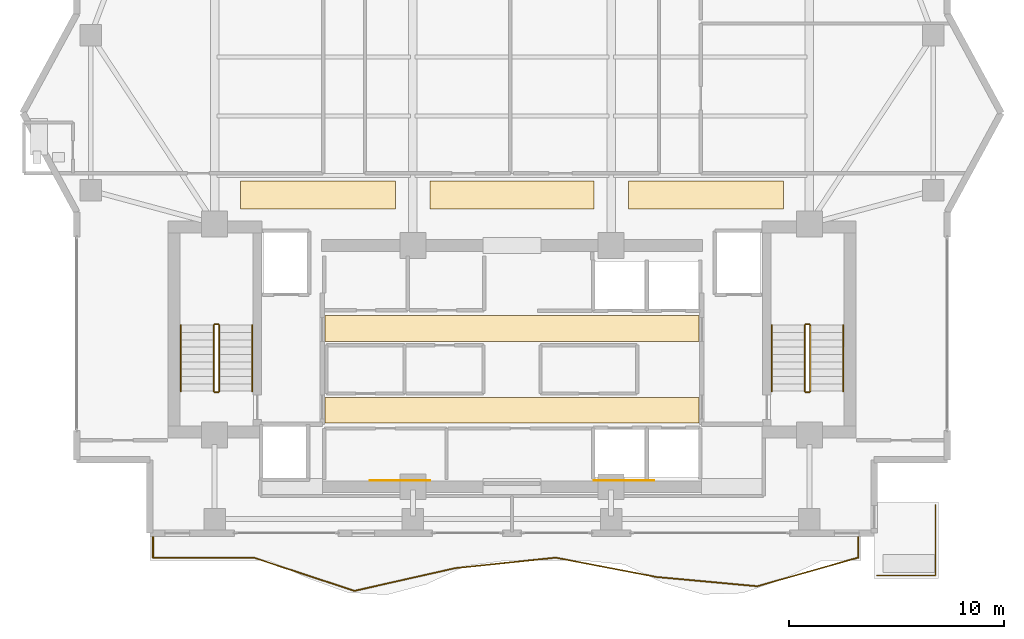
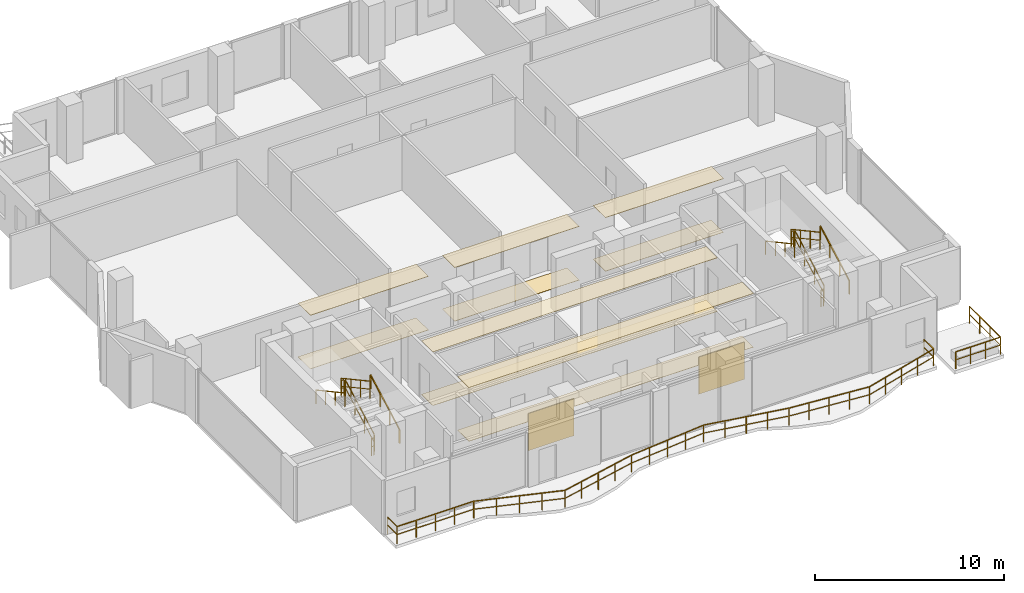
# One storey, part 23 of 25: 14 railings, 12 coverings.
"""IFC4 building model written with IfcOpenShell, lengths in metres."""

from ifc_helpers import new_model, si_unit, direction, frame, origin, origin_2d, place, context, subcontext, project, spatial, polyline, rectangle, outline, extrude, material, layer, layer_set, type_object, element, save


model = new_model("IFC4")

# Units and contexts
model_context = context("Model", 3, precision=1e-05, world=origin(), true_north=direction((0.0, 1.0)))
body_context = subcontext(model_context, "Body", "Model", "MODEL_VIEW")
ifc_project = project(units=[si_unit("LENGTHUNIT", "METRE"), si_unit("AREAUNIT", "SQUARE_METRE"), si_unit("VOLUMEUNIT", "CUBIC_METRE"), si_unit("PLANEANGLEUNIT", "RADIAN"), si_unit("MASSUNIT", "GRAM", prefix="KILO")], contexts=[model_context])

# Site, building, storey
site_placement = place(None, origin())
site = spatial("IfcSite", under=ifc_project, at=site_placement, CompositionType="ELEMENT")
building_placement = place(site_placement, origin())
building = spatial("IfcBuilding", under=site, at=building_placement, Name="Zuhayl Quay Hotel", CompositionType="ELEMENT")
storey_placement = place(building_placement, frame((0.0, 0.0, 250.75)))
storey = spatial("IfcBuildingStorey", under=building, at=storey_placement, Name="L63", CompositionType="ELEMENT", Elevation=250.75)

# Coverings
ifc_material_1 = material(Name="Acoustic Mineral-Fibre Gypsum Board")
ifc_layer_1 = layer(ifc_material_1, 0.02490234375, Name="Acoustic Mineral-Fibre Gypsum Board")
ifc_layer_set_1 = layer_set([ifc_layer_1], Name="Acoustic Mineral-Fibre Gypsum Board")
covering_type_1 = type_object("IfcCoveringType", Name="CV_CEIL_ACOUSTIC", PredefinedType="CEILING", material=ifc_layer_set_1)
covering_1_placement = place(storey_placement, frame((0.0, 0.0, 3.455078125)))
element("IfcCovering", 1, at=covering_1_placement, inside=storey, type_object=covering_type_1, Name="L63 Suspended Acoustic Lobby Ceiling S", PredefinedType="CEILING", context=body_context, shape_type="SweptSolid", body=[
    extrude(outline(polyline([(-8.679931640625, 5.10009765625), (8.679931640625, 5.10009765625), (8.679931640625, 6.300048828125), (-8.679931640625, 6.300048828125), (-8.679931640625, 5.10009765625)])), origin(), (0.0, 0.0, 1.0), 0.02490234375),
])
covering_2_placement = place(storey_placement, frame((0.0, 0.0, 3.455078125)))
element("IfcCovering", 2, at=covering_2_placement, inside=storey, type_object=covering_type_1, Name="L63 Suspended Acoustic Lobby Ceiling N", PredefinedType="CEILING", context=body_context, shape_type="SweptSolid", body=[
    extrude(outline(polyline([(-8.679931640625, 8.89990234375), (8.679931640625, 8.89990234375), (8.679931640625, 10.10009765625), (-8.679931640625, 10.10009765625), (-8.679931640625, 8.89990234375)])), origin(), (0.0, 0.0, 1.0), 0.02490234375),
])
covering_3_placement = place(storey_placement, frame((0.0, 0.0, 3.455078125)))
element("IfcCovering", 3, at=covering_3_placement, inside=storey, type_object=covering_type_1, Name="L63 Guest Corridor Acoustic Ceiling CW", PredefinedType="CEILING", context=body_context, shape_type="SweptSolid", body=[
    extrude(outline(polyline([(-12.60009765625, 15.050048828125), (-5.39990234375, 15.050048828125), (-5.39990234375, 16.35009765625), (-12.60009765625, 16.35009765625), (-12.60009765625, 15.050048828125)])), origin(), (0.0, 0.0, 1.0), 0.02490234375),
])
covering_4_placement = place(storey_placement, frame((0.0, 0.0, 3.455078125)))
element("IfcCovering", 4, at=covering_4_placement, inside=storey, type_object=covering_type_1, Name="L63 Guest Corridor Acoustic Ceiling CC", PredefinedType="CEILING", context=body_context, shape_type="SweptSolid", body=[
    extrude(outline(polyline([(-3.800048828125, 15.050048828125), (3.800048828125, 15.050048828125), (3.800048828125, 16.35009765625), (-3.800048828125, 16.35009765625), (-3.800048828125, 15.050048828125)])), origin(), (0.0, 0.0, 1.0), 0.02490234375),
])
covering_5_placement = place(storey_placement, frame((0.0, 0.0, 3.455078125)))
element("IfcCovering", 5, at=covering_5_placement, inside=storey, type_object=covering_type_1, Name="L63 Guest Corridor Acoustic Ceiling CE", PredefinedType="CEILING", context=body_context, shape_type="SweptSolid", body=[
    extrude(outline(polyline([(5.39990234375, 15.050048828125), (12.60009765625, 15.050048828125), (12.60009765625, 16.35009765625), (5.39990234375, 16.35009765625), (5.39990234375, 15.050048828125)])), origin(), (0.0, 0.0, 1.0), 0.02490234375),
])
ifc_material_2 = material(Name="Polished Limestone Terrazzo", Category="masonry")
ifc_layer_2 = layer(ifc_material_2, 0.02001953125, Name="Polished Limestone Terrazzo", Category="masonry")
ifc_layer_set_2 = layer_set([ifc_layer_2], Name="Polished Limestone Terrazzo")
covering_type_2 = type_object("IfcCoveringType", Name="CV_FLOOR_TERRAZZO", PredefinedType="FLOORING", material=ifc_layer_set_2)
covering_6_placement = place(storey_placement, origin())
element("IfcCovering", 6, at=covering_6_placement, inside=storey, type_object=covering_type_2, Name="L63 Honed Limestone Terrazzo Lobby Flooring S", PredefinedType="FLOORING", context=body_context, shape_type="SweptSolid", body=[
    extrude(outline(polyline([(-8.679931640625, 5.10009765625), (8.679931640625, 5.10009765625), (8.679931640625, 6.300048828125), (-8.679931640625, 6.300048828125), (-8.679931640625, 5.10009765625)])), origin(), (0.0, 0.0, 1.0), 0.02001953125),
])
covering_7_placement = place(storey_placement, origin())
element("IfcCovering", 7, at=covering_7_placement, inside=storey, type_object=covering_type_2, Name="L63 Honed Limestone Terrazzo Lobby Flooring N", PredefinedType="FLOORING", context=body_context, shape_type="SweptSolid", body=[
    extrude(outline(polyline([(-8.679931640625, 8.89990234375), (8.679931640625, 8.89990234375), (8.679931640625, 10.10009765625), (-8.679931640625, 10.10009765625), (-8.679931640625, 8.89990234375)])), origin(), (0.0, 0.0, 1.0), 0.02001953125),
])
covering_8_placement = place(storey_placement, origin())
element("IfcCovering", 8, at=covering_8_placement, inside=storey, type_object=covering_type_2, Name="L63 Guest Corridor Terrazzo Runner CW", PredefinedType="FLOORING", context=body_context, shape_type="SweptSolid", body=[
    extrude(outline(polyline([(-12.60009765625, 15.050048828125), (-5.39990234375, 15.050048828125), (-5.39990234375, 16.35009765625), (-12.60009765625, 16.35009765625), (-12.60009765625, 15.050048828125)])), origin(), (0.0, 0.0, 1.0), 0.02001953125),
])
covering_9_placement = place(storey_placement, origin())
element("IfcCovering", 9, at=covering_9_placement, inside=storey, type_object=covering_type_2, Name="L63 Guest Corridor Terrazzo Runner CC", PredefinedType="FLOORING", context=body_context, shape_type="SweptSolid", body=[
    extrude(outline(polyline([(-3.800048828125, 15.050048828125), (3.800048828125, 15.050048828125), (3.800048828125, 16.35009765625), (-3.800048828125, 16.35009765625), (-3.800048828125, 15.050048828125)])), origin(), (0.0, 0.0, 1.0), 0.02001953125),
])
covering_10_placement = place(storey_placement, origin())
element("IfcCovering", 10, at=covering_10_placement, inside=storey, type_object=covering_type_2, Name="L63 Guest Corridor Terrazzo Runner CE", PredefinedType="FLOORING", context=body_context, shape_type="SweptSolid", body=[
    extrude(outline(polyline([(5.39990234375, 15.050048828125), (12.60009765625, 15.050048828125), (12.60009765625, 16.35009765625), (5.39990234375, 16.35009765625), (5.39990234375, 15.050048828125)])), origin(), (0.0, 0.0, 1.0), 0.02001953125),
])
ifc_material_3 = material(Name="Acoustic Walnut Feature Timber", Category="wood")
ifc_layer_3 = layer(ifc_material_3, 0.02197265625, Name="Acoustic Walnut Feature Timber", Category="wood")
ifc_layer_set_3 = layer_set([ifc_layer_3], Name="Acoustic Walnut Feature Timber")
covering_type_3 = type_object("IfcCoveringType", Name="CV_WALL_CLAD", PredefinedType="CLADDING", material=ifc_layer_set_3)
for number, where, z_axis, x_axis, name in (
    (11, (-5.199951171875, 2.43603515625, 0.300048828125), (0.0, 0.0, 1.0), (1.0, 0.0, 0.0), "L63 Feature Lobby Walnut Wall Cladding W"),
    (12, (5.199951171875, 2.43603515625, 0.300048828125), (0.0, 0.0, 1.0), (1.0, 0.0, 0.0), "L63 Feature Lobby Walnut Wall Cladding E"),
):
    element("IfcCovering", number, at=place(storey_placement, frame(where, z_axis=z_axis, x_axis=x_axis)), inside=storey, type_object=covering_type_3, Name=name, PredefinedType="CLADDING", context=body_context, shape_type="SweptSolid", body=[
        extrude(rectangle(XDim=2.800048828125, YDim=0.02197265625, at=origin_2d()), origin(), (0.0, 0.0, 1.0), 2.39990234375),
    ])

# Railings
ifc_material_4 = material(Name="Anodised Aluminium and Laminated Glass", Category="aluminium")
railing_type_1 = type_object("IfcRailingType", Name="RL_EXT_BAL_1100", PredefinedType="BALUSTRADE", material=ifc_material_4)
railing_1_placement = place(storey_placement, frame((-16.659912109375, -0.1201171875, 0.0)))
element("IfcRailing", 13, at=railing_1_placement, inside=storey, type_object=railing_type_1, Name="L63 Balcony and Terrace Guard GR_L63_BAL_S", PredefinedType="BALUSTRADE", context=body_context, shape_type="SweptSolid", body=[
    extrude(rectangle(XDim=0.048095703125, YDim=0.048095703125, at=origin_2d()), frame((0.0, 0.0, 1.09619140625), z_axis=(0.0, -1.0, 0.0), x_axis=(1.0, 0.0, 0.0)), (0.0, 0.0, 1.0), 1.019775390625),
    extrude(rectangle(XDim=0.0361328125, YDim=0.0361328125, at=origin_2d()), frame((0.0, 0.0, 0.58251953125), z_axis=(0.0, -1.0, 0.0), x_axis=(1.0, 0.0, 0.0)), (0.0, 0.0, 1.0), 1.019775390625),
    extrude(rectangle(XDim=0.048095703125, YDim=0.048095703125, at=origin_2d()), frame((0.0, -1.019775390625, 1.09619140625), z_axis=(1.0, 0.0, 0.0), x_axis=(0.0, 1.0, 0.0)), (0.0, 0.0, 1.0), 4.67431640625),
    extrude(rectangle(XDim=0.0361328125, YDim=0.0361328125, at=origin_2d()), frame((0.0, -1.019775390625, 0.58251953125), z_axis=(1.0, 0.0, 0.0), x_axis=(0.0, 1.0, 0.0)), (0.0, 0.0, 1.0), 4.67431640625),
    extrude(rectangle(XDim=0.048095703125, YDim=0.048095703125, at=origin_2d()), frame((4.67431640625, -1.019775390625, 1.09619140625), z_axis=(0.949719836724, -0.313100992865, 0.0), x_axis=(0.313100992865, 0.949719836724, 0.0)), (0.0, 0.0, 1.0), 4.921875),
    extrude(rectangle(XDim=0.0361328125, YDim=0.0361328125, at=origin_2d()), frame((4.67431640625, -1.019775390625, 0.58251953125), z_axis=(0.949719836724, -0.313100992865, 0.0), x_axis=(0.313100992865, 0.949719836724, 0.0)), (0.0, 0.0, 1.0), 4.921875),
    extrude(rectangle(XDim=0.048095703125, YDim=0.048095703125, at=origin_2d()), frame((9.3486328125, -2.560791015625, 1.09619140625), z_axis=(0.975474538306, 0.220112301148, 0.0), x_axis=(-0.220112301148, 0.975474538306, 0.0)), (0.0, 0.0, 1.0), 4.79150390625),
    extrude(rectangle(XDim=0.0361328125, YDim=0.0361328125, at=origin_2d()), frame((9.3486328125, -2.560791015625, 0.58251953125), z_axis=(0.975474538306, 0.220112301148, 0.0), x_axis=(-0.220112301148, 0.975474538306, 0.0)), (0.0, 0.0, 1.0), 4.79150390625),
    extrude(rectangle(XDim=0.048095703125, YDim=0.048095703125, at=origin_2d()), frame((14.022705078125, -1.506103515625, 1.09619140625), z_axis=(0.994631115611, 0.103484027071, 0.0), x_axis=(-0.103484027071, 0.994631115611, 0.0)), (0.0, 0.0, 1.0), 4.699462890625),
    extrude(rectangle(XDim=0.0361328125, YDim=0.0361328125, at=origin_2d()), frame((14.022705078125, -1.506103515625, 0.58251953125), z_axis=(0.994631115611, 0.103484027071, 0.0), x_axis=(-0.103484027071, 0.994631115611, 0.0)), (0.0, 0.0, 1.0), 4.699462890625),
    extrude(rectangle(XDim=0.048095703125, YDim=0.048095703125, at=origin_2d()), frame((18.697021484375, -1.019775390625, 1.09619140625), z_axis=(0.982024734592, -0.188752273232, 0.0), x_axis=(0.188752273232, 0.982024734592, 0.0)), (0.0, 0.0, 1.0), 4.759765625),
    extrude(rectangle(XDim=0.0361328125, YDim=0.0361328125, at=origin_2d()), frame((18.697021484375, -1.019775390625, 0.58251953125), z_axis=(0.982024734592, -0.188752273232, 0.0), x_axis=(0.188752273232, 0.982024734592, 0.0)), (0.0, 0.0, 1.0), 4.759765625),
    extrude(rectangle(XDim=0.048095703125, YDim=0.048095703125, at=origin_2d()), frame((23.371337890625, -1.918212890625, 1.09619140625), z_axis=(0.995858172055, -0.090920301094, 0.0), x_axis=(0.090920301094, 0.995858172055, 0.0)), (0.0, 0.0, 1.0), 4.69384765625),
    extrude(rectangle(XDim=0.0361328125, YDim=0.0361328125, at=origin_2d()), frame((23.371337890625, -1.918212890625, 0.58251953125), z_axis=(0.995858172055, -0.090920301094, 0.0), x_axis=(0.090920301094, 0.995858172055, 0.0)), (0.0, 0.0, 1.0), 4.69384765625),
    extrude(rectangle(XDim=0.048095703125, YDim=0.048095703125, at=origin_2d()), frame((28.045654296875, -2.344970703125, 1.09619140625), z_axis=(0.962083221932, 0.272756070649, 0.0), x_axis=(-0.272756070649, 0.962083221932, 0.0)), (0.0, 0.0, 1.0), 4.858642578125),
    extrude(rectangle(XDim=0.0361328125, YDim=0.0361328125, at=origin_2d()), frame((28.045654296875, -2.344970703125, 0.58251953125), z_axis=(0.962083221932, 0.272756070649, 0.0), x_axis=(-0.272756070649, 0.962083221932, 0.0)), (0.0, 0.0, 1.0), 4.858642578125),
    extrude(rectangle(XDim=0.048095703125, YDim=0.048095703125, at=origin_2d()), frame((32.719970703125, -1.019775390625, 1.09619140625), z_axis=(0.0, 1.0, 0.0), x_axis=(-1.0, 0.0, 0.0)), (0.0, 0.0, 1.0), 1.019775390625),
    extrude(rectangle(XDim=0.0361328125, YDim=0.0361328125, at=origin_2d()), frame((32.719970703125, -1.019775390625, 0.58251953125), z_axis=(0.0, 1.0, 0.0), x_axis=(-1.0, 0.0, 0.0)), (0.0, 0.0, 1.0), 1.019775390625),
    extrude(rectangle(XDim=0.0419921875, YDim=0.0419921875, at=origin_2d()), origin(), (0.0, 0.0, 1.0), 1.072021484375),
    extrude(rectangle(XDim=0.0419921875, YDim=0.0419921875, at=origin_2d()), frame((0.0, -1.019775390625, 0.0)), (0.0, 0.0, 1.0), 1.072021484375),
    extrude(rectangle(XDim=0.0419921875, YDim=0.0419921875, at=origin_2d()), frame((1.16845703125, -1.019775390625, 0.0)), (0.0, 0.0, 1.0), 1.072021484375),
    extrude(rectangle(XDim=0.0419921875, YDim=0.0419921875, at=origin_2d()), frame((2.337158203125, -1.019775390625, 0.0)), (0.0, 0.0, 1.0), 1.072021484375),
    extrude(rectangle(XDim=0.0419921875, YDim=0.0419921875, at=origin_2d()), frame((3.505859375, -1.019775390625, 0.0)), (0.0, 0.0, 1.0), 1.072021484375),
    extrude(rectangle(XDim=0.0419921875, YDim=0.0419921875, at=origin_2d()), frame((4.67431640625, -1.019775390625, 0.0)), (0.0, 0.0, 1.0), 1.072021484375),
    extrude(rectangle(XDim=0.0419921875, YDim=0.0419921875, at=origin_2d()), frame((5.8427734375, -1.405029296875, 0.0)), (0.0, 0.0, 1.0), 1.072021484375),
    extrude(rectangle(XDim=0.0419921875, YDim=0.0419921875, at=origin_2d()), frame((7.011474609375, -1.790283203125, 0.0)), (0.0, 0.0, 1.0), 1.072021484375),
    extrude(rectangle(XDim=0.0419921875, YDim=0.0419921875, at=origin_2d()), frame((8.18017578125, -2.175537109375, 0.0)), (0.0, 0.0, 1.0), 1.072021484375),
    extrude(rectangle(XDim=0.0419921875, YDim=0.0419921875, at=origin_2d()), frame((9.3486328125, -2.560791015625, 0.0)), (0.0, 0.0, 1.0), 1.072021484375),
    extrude(rectangle(XDim=0.0419921875, YDim=0.0419921875, at=origin_2d()), frame((10.51708984375, -2.297119140625, 0.0)), (0.0, 0.0, 1.0), 1.072021484375),
    extrude(rectangle(XDim=0.0419921875, YDim=0.0419921875, at=origin_2d()), frame((11.685546875, -2.033447265625, 0.0)), (0.0, 0.0, 1.0), 1.072021484375),
    extrude(rectangle(XDim=0.0419921875, YDim=0.0419921875, at=origin_2d()), frame((12.854248046875, -1.769775390625, 0.0)), (0.0, 0.0, 1.0), 1.072021484375),
    extrude(rectangle(XDim=0.0419921875, YDim=0.0419921875, at=origin_2d()), frame((14.022705078125, -1.506103515625, 0.0)), (0.0, 0.0, 1.0), 1.072021484375),
    extrude(rectangle(XDim=0.0419921875, YDim=0.0419921875, at=origin_2d()), frame((15.19140625, -1.384521484375, 0.0)), (0.0, 0.0, 1.0), 1.072021484375),
    extrude(rectangle(XDim=0.0419921875, YDim=0.0419921875, at=origin_2d()), frame((16.35986328125, -1.262939453125, 0.0)), (0.0, 0.0, 1.0), 1.072021484375),
    extrude(rectangle(XDim=0.0419921875, YDim=0.0419921875, at=origin_2d()), frame((17.5283203125, -1.141357421875, 0.0)), (0.0, 0.0, 1.0), 1.072021484375),
    extrude(rectangle(XDim=0.0419921875, YDim=0.0419921875, at=origin_2d()), frame((18.697021484375, -1.019775390625, 0.0)), (0.0, 0.0, 1.0), 1.072021484375),
    extrude(rectangle(XDim=0.0419921875, YDim=0.0419921875, at=origin_2d()), frame((19.86572265625, -1.244384765625, 0.0)), (0.0, 0.0, 1.0), 1.072021484375),
    extrude(rectangle(XDim=0.0419921875, YDim=0.0419921875, at=origin_2d()), frame((21.0341796875, -1.468994140625, 0.0)), (0.0, 0.0, 1.0), 1.072021484375),
    extrude(rectangle(XDim=0.0419921875, YDim=0.0419921875, at=origin_2d()), frame((22.20263671875, -1.693603515625, 0.0)), (0.0, 0.0, 1.0), 1.072021484375),
    extrude(rectangle(XDim=0.0419921875, YDim=0.0419921875, at=origin_2d()), frame((23.371337890625, -1.918212890625, 0.0)), (0.0, 0.0, 1.0), 1.072021484375),
    extrude(rectangle(XDim=0.0419921875, YDim=0.0419921875, at=origin_2d()), frame((24.5400390625, -2.02490234375, 0.0)), (0.0, 0.0, 1.0), 1.072021484375),
    extrude(rectangle(XDim=0.0419921875, YDim=0.0419921875, at=origin_2d()), frame((25.70849609375, -2.131591796875, 0.0)), (0.0, 0.0, 1.0), 1.072021484375),
    extrude(rectangle(XDim=0.0419921875, YDim=0.0419921875, at=origin_2d()), frame((26.876953125, -2.23828125, 0.0)), (0.0, 0.0, 1.0), 1.072021484375),
    extrude(rectangle(XDim=0.0419921875, YDim=0.0419921875, at=origin_2d()), frame((28.045654296875, -2.344970703125, 0.0)), (0.0, 0.0, 1.0), 1.072021484375),
    extrude(rectangle(XDim=0.0419921875, YDim=0.0419921875, at=origin_2d()), frame((29.21435546875, -2.013671875, 0.0)), (0.0, 0.0, 1.0), 1.072021484375),
    extrude(rectangle(XDim=0.0419921875, YDim=0.0419921875, at=origin_2d()), frame((30.3828125, -1.682373046875, 0.0)), (0.0, 0.0, 1.0), 1.072021484375),
    extrude(rectangle(XDim=0.0419921875, YDim=0.0419921875, at=origin_2d()), frame((31.55126953125, -1.35107421875, 0.0)), (0.0, 0.0, 1.0), 1.072021484375),
    extrude(rectangle(XDim=0.0419921875, YDim=0.0419921875, at=origin_2d()), frame((32.719970703125, -1.019775390625, 0.0)), (0.0, 0.0, 1.0), 1.072021484375),
    extrude(rectangle(XDim=0.0419921875, YDim=0.0419921875, at=origin_2d()), frame((32.719970703125, 0.0, 0.0)), (0.0, 0.0, 1.0), 1.072021484375),
])
railing_2_placement = place(storey_placement, frame((16.93994140625, -1.9599609375, 0.0)))
element("IfcRailing", 14, at=railing_2_placement, inside=storey, type_object=railing_type_1, Name="L63 Balcony and Terrace Guard GR_L63_SPIRAL_SE", PredefinedType="BALUSTRADE", context=body_context, shape_type="SweptSolid", body=[
    extrude(rectangle(XDim=0.048095703125, YDim=0.048095703125, at=origin_2d()), frame((0.0, 0.0, 1.09619140625), z_axis=(1.0, 0.0, 0.0), x_axis=(0.0, 1.0, 0.0)), (0.0, 0.0, 1.0), 2.719970703125),
    extrude(rectangle(XDim=0.0361328125, YDim=0.0361328125, at=origin_2d()), frame((0.0, 0.0, 0.58251953125), z_axis=(1.0, 0.0, 0.0), x_axis=(0.0, 1.0, 0.0)), (0.0, 0.0, 1.0), 2.719970703125),
    extrude(rectangle(XDim=0.048095703125, YDim=0.048095703125, at=origin_2d()), frame((2.719970703125, 0.0, 1.09619140625), z_axis=(0.0, 1.0, 0.0), x_axis=(-1.0, 0.0, 0.0)), (0.0, 0.0, 1.0), 3.27001953125),
    extrude(rectangle(XDim=0.0361328125, YDim=0.0361328125, at=origin_2d()), frame((2.719970703125, 0.0, 0.58251953125), z_axis=(0.0, 1.0, 0.0), x_axis=(-1.0, 0.0, 0.0)), (0.0, 0.0, 1.0), 3.27001953125),
    extrude(rectangle(XDim=0.0419921875, YDim=0.0419921875, at=origin_2d()), origin(), (0.0, 0.0, 1.0), 1.072021484375),
    extrude(rectangle(XDim=0.0419921875, YDim=0.0419921875, at=origin_2d()), frame((0.90673828125, 0.0, 0.0)), (0.0, 0.0, 1.0), 1.072021484375),
    extrude(rectangle(XDim=0.0419921875, YDim=0.0419921875, at=origin_2d()), frame((1.813232421875, 0.0, 0.0)), (0.0, 0.0, 1.0), 1.072021484375),
    extrude(rectangle(XDim=0.0419921875, YDim=0.0419921875, at=origin_2d()), frame((2.719970703125, 0.0, 0.0)), (0.0, 0.0, 1.0), 1.072021484375),
    extrude(rectangle(XDim=0.0419921875, YDim=0.0419921875, at=origin_2d()), frame((2.719970703125, 1.090087890625, 0.0)), (0.0, 0.0, 1.0), 1.072021484375),
    extrude(rectangle(XDim=0.0419921875, YDim=0.0419921875, at=origin_2d()), frame((2.719970703125, 2.179931640625, 0.0)), (0.0, 0.0, 1.0), 1.072021484375),
    extrude(rectangle(XDim=0.0419921875, YDim=0.0419921875, at=origin_2d()), frame((2.719970703125, 3.27001953125, 0.0)), (0.0, 0.0, 1.0), 1.072021484375),
])
ifc_material_5 = material(Name="Steel ASTM A992 Grade 50", Category="steel")
railing_type_2 = type_object("IfcRailingType", Name="RL_GUARD_1100", PredefinedType="GUARDRAIL", material=ifc_material_5)
railing_3_placement = place(storey_placement, frame((-13.590087890625, 6.590087890625, 0.18505859375)))
element("IfcRailing", 15, at=railing_3_placement, inside=storey, type_object=railing_type_2, Name="L63 ST1 stair guard 1", PredefinedType="GUARDRAIL", context=body_context, shape_type="SweptSolid", body=[
    extrude(rectangle(XDim=0.048095703125, YDim=0.048095703125, at=origin_2d()), frame((0.0, 0.0, 1.09619140625), z_axis=(0.0, 0.878371892512, 0.477977843049), x_axis=(-1.0, 0.0, 0.0)), (0.0, 0.0, 1.0), 3.4833984375),
    extrude(rectangle(XDim=0.0361328125, YDim=0.0361328125, at=origin_2d()), frame((0.0, 0.0, 0.58251953125), z_axis=(0.0, 0.878371892512, 0.477977843049), x_axis=(-1.0, 0.0, 0.0)), (0.0, 0.0, 1.0), 3.4833984375),
    extrude(rectangle(XDim=0.0419921875, YDim=0.0419921875, at=origin_2d()), origin(), (0.0, 0.0, 1.0), 1.072021484375),
    extrude(rectangle(XDim=0.0419921875, YDim=0.0419921875, at=origin_2d()), frame((0.0, 1.02001953125, 0.554931640625)), (0.0, 0.0, 1.0), 1.072021484375),
    extrude(rectangle(XDim=0.0419921875, YDim=0.0419921875, at=origin_2d()), frame((0.0, 2.039794921875, 1.110107421875)), (0.0, 0.0, 1.0), 1.072021484375),
    extrude(rectangle(XDim=0.0419921875, YDim=0.0419921875, at=origin_2d()), frame((0.0, 3.059814453125, 1.6650390625)), (0.0, 0.0, 1.0), 1.072021484375),
])
railing_4_placement = place(storey_placement, frame((-13.639892578125, 9.699951171875, 1.85009765625)))
element("IfcRailing", 16, at=railing_4_placement, inside=storey, type_object=railing_type_2, Name="L63 ST1 stair guard 2", PredefinedType="GUARDRAIL", context=body_context, shape_type="SweptSolid", body=[
    extrude(rectangle(XDim=0.048095703125, YDim=0.048095703125, at=origin_2d()), frame((0.0, 0.0, 1.09619140625), z_axis=(-1.0, 0.0, 0.0), x_axis=(0.0, -1.0, 0.0)), (0.0, 0.0, 1.0), 0.150146484375),
    extrude(rectangle(XDim=0.0361328125, YDim=0.0361328125, at=origin_2d()), frame((0.0, 0.0, 0.58251953125), z_axis=(-1.0, 0.0, 0.0), x_axis=(0.0, -1.0, 0.0)), (0.0, 0.0, 1.0), 0.150146484375),
    extrude(rectangle(XDim=0.0419921875, YDim=0.0419921875, at=origin_2d()), origin(), (0.0, 0.0, 1.0), 1.072021484375),
    extrude(rectangle(XDim=0.0419921875, YDim=0.0419921875, at=origin_2d()), frame((-0.150146484375, 0.0, 0.0)), (0.0, 0.0, 1.0), 1.072021484375),
])
railing_5_placement = place(storey_placement, frame((-13.840087890625, 9.64990234375, 2.034912109375)))
element("IfcRailing", 17, at=railing_5_placement, inside=storey, type_object=railing_type_2, Name="L63 ST1 stair guard 3", PredefinedType="GUARDRAIL", context=body_context, shape_type="SweptSolid", body=[
    extrude(rectangle(XDim=0.048095703125, YDim=0.048095703125, at=origin_2d()), frame((0.0, 0.0, 1.09619140625), z_axis=(0.0, -0.878371892512, 0.477977843049), x_axis=(1.0, 0.0, 0.0)), (0.0, 0.0, 1.0), 3.4833984375),
    extrude(rectangle(XDim=0.0361328125, YDim=0.0361328125, at=origin_2d()), frame((0.0, 0.0, 0.58251953125), z_axis=(0.0, -0.878371892512, 0.477977843049), x_axis=(1.0, 0.0, 0.0)), (0.0, 0.0, 1.0), 3.4833984375),
    extrude(rectangle(XDim=0.0419921875, YDim=0.0419921875, at=origin_2d()), origin(), (0.0, 0.0, 1.0), 1.072021484375),
    extrude(rectangle(XDim=0.0419921875, YDim=0.0419921875, at=origin_2d()), frame((0.0, -1.02001953125, 0.554931640625)), (0.0, 0.0, 1.0), 1.072021484375),
    extrude(rectangle(XDim=0.0419921875, YDim=0.0419921875, at=origin_2d()), frame((0.0, -2.039794921875, 1.110107421875)), (0.0, 0.0, 1.0), 1.072021484375),
    extrude(rectangle(XDim=0.0419921875, YDim=0.0419921875, at=origin_2d()), frame((0.0, -3.059814453125, 1.6650390625)), (0.0, 0.0, 1.0), 1.072021484375),
])
railing_6_placement = place(storey_placement, frame((-13.639892578125, 6.5400390625, 0.0)))
element("IfcRailing", 18, at=railing_6_placement, inside=storey, type_object=railing_type_2, Name="L63 ST1 stair guard 4", PredefinedType="GUARDRAIL", context=body_context, shape_type="SweptSolid", body=[
    extrude(rectangle(XDim=0.048095703125, YDim=0.048095703125, at=origin_2d()), frame((0.0, 0.0, 1.09619140625), z_axis=(-1.0, 0.0, 0.0), x_axis=(0.0, -1.0, 0.0)), (0.0, 0.0, 1.0), 0.150146484375),
    extrude(rectangle(XDim=0.0361328125, YDim=0.0361328125, at=origin_2d()), frame((0.0, 0.0, 0.58251953125), z_axis=(-1.0, 0.0, 0.0), x_axis=(0.0, -1.0, 0.0)), (0.0, 0.0, 1.0), 0.150146484375),
    extrude(rectangle(XDim=0.0419921875, YDim=0.0419921875, at=origin_2d()), origin(), (0.0, 0.0, 1.0), 1.072021484375),
    extrude(rectangle(XDim=0.0419921875, YDim=0.0419921875, at=origin_2d()), frame((-0.150146484375, 0.0, 0.0)), (0.0, 0.0, 1.0), 1.072021484375),
])
railing_7_placement = place(storey_placement, frame((13.840087890625, 6.590087890625, 0.18505859375)))
element("IfcRailing", 19, at=railing_7_placement, inside=storey, type_object=railing_type_2, Name="L63 ST2 stair guard 1", PredefinedType="GUARDRAIL", context=body_context, shape_type="SweptSolid", body=[
    extrude(rectangle(XDim=0.048095703125, YDim=0.048095703125, at=origin_2d()), frame((0.0, 0.0, 1.09619140625), z_axis=(0.0, 0.878371892512, 0.477977843049), x_axis=(-1.0, 0.0, 0.0)), (0.0, 0.0, 1.0), 3.4833984375),
    extrude(rectangle(XDim=0.0361328125, YDim=0.0361328125, at=origin_2d()), frame((0.0, 0.0, 0.58251953125), z_axis=(0.0, 0.878371892512, 0.477977843049), x_axis=(-1.0, 0.0, 0.0)), (0.0, 0.0, 1.0), 3.4833984375),
    extrude(rectangle(XDim=0.0419921875, YDim=0.0419921875, at=origin_2d()), origin(), (0.0, 0.0, 1.0), 1.072021484375),
    extrude(rectangle(XDim=0.0419921875, YDim=0.0419921875, at=origin_2d()), frame((0.0, 1.02001953125, 0.554931640625)), (0.0, 0.0, 1.0), 1.072021484375),
    extrude(rectangle(XDim=0.0419921875, YDim=0.0419921875, at=origin_2d()), frame((0.0, 2.039794921875, 1.110107421875)), (0.0, 0.0, 1.0), 1.072021484375),
    extrude(rectangle(XDim=0.0419921875, YDim=0.0419921875, at=origin_2d()), frame((0.0, 3.059814453125, 1.6650390625)), (0.0, 0.0, 1.0), 1.072021484375),
])
railing_8_placement = place(storey_placement, frame((13.7900390625, 9.699951171875, 1.85009765625)))
element("IfcRailing", 20, at=railing_8_placement, inside=storey, type_object=railing_type_2, Name="L63 ST2 stair guard 2", PredefinedType="GUARDRAIL", context=body_context, shape_type="SweptSolid", body=[
    extrude(rectangle(XDim=0.048095703125, YDim=0.048095703125, at=origin_2d()), frame((0.0, 0.0, 1.09619140625), z_axis=(-1.0, 0.0, 0.0), x_axis=(0.0, -1.0, 0.0)), (0.0, 0.0, 1.0), 0.150146484375),
    extrude(rectangle(XDim=0.0361328125, YDim=0.0361328125, at=origin_2d()), frame((0.0, 0.0, 0.58251953125), z_axis=(-1.0, 0.0, 0.0), x_axis=(0.0, -1.0, 0.0)), (0.0, 0.0, 1.0), 0.150146484375),
    extrude(rectangle(XDim=0.0419921875, YDim=0.0419921875, at=origin_2d()), origin(), (0.0, 0.0, 1.0), 1.072021484375),
    extrude(rectangle(XDim=0.0419921875, YDim=0.0419921875, at=origin_2d()), frame((-0.150146484375, 0.0, 0.0)), (0.0, 0.0, 1.0), 1.072021484375),
])
railing_9_placement = place(storey_placement, frame((13.590087890625, 9.64990234375, 2.034912109375)))
element("IfcRailing", 21, at=railing_9_placement, inside=storey, type_object=railing_type_2, Name="L63 ST2 stair guard 3", PredefinedType="GUARDRAIL", context=body_context, shape_type="SweptSolid", body=[
    extrude(rectangle(XDim=0.048095703125, YDim=0.048095703125, at=origin_2d()), frame((0.0, 0.0, 1.09619140625), z_axis=(0.0, -0.878371892512, 0.477977843049), x_axis=(1.0, 0.0, 0.0)), (0.0, 0.0, 1.0), 3.4833984375),
    extrude(rectangle(XDim=0.0361328125, YDim=0.0361328125, at=origin_2d()), frame((0.0, 0.0, 0.58251953125), z_axis=(0.0, -0.878371892512, 0.477977843049), x_axis=(1.0, 0.0, 0.0)), (0.0, 0.0, 1.0), 3.4833984375),
    extrude(rectangle(XDim=0.0419921875, YDim=0.0419921875, at=origin_2d()), origin(), (0.0, 0.0, 1.0), 1.072021484375),
    extrude(rectangle(XDim=0.0419921875, YDim=0.0419921875, at=origin_2d()), frame((0.0, -1.02001953125, 0.554931640625)), (0.0, 0.0, 1.0), 1.072021484375),
    extrude(rectangle(XDim=0.0419921875, YDim=0.0419921875, at=origin_2d()), frame((0.0, -2.039794921875, 1.110107421875)), (0.0, 0.0, 1.0), 1.072021484375),
    extrude(rectangle(XDim=0.0419921875, YDim=0.0419921875, at=origin_2d()), frame((0.0, -3.059814453125, 1.6650390625)), (0.0, 0.0, 1.0), 1.072021484375),
])
railing_10_placement = place(storey_placement, frame((13.7900390625, 6.5400390625, 0.0)))
element("IfcRailing", 22, at=railing_10_placement, inside=storey, type_object=railing_type_2, Name="L63 ST2 stair guard 4", PredefinedType="GUARDRAIL", context=body_context, shape_type="SweptSolid", body=[
    extrude(rectangle(XDim=0.048095703125, YDim=0.048095703125, at=origin_2d()), frame((0.0, 0.0, 1.09619140625), z_axis=(-1.0, 0.0, 0.0), x_axis=(0.0, -1.0, 0.0)), (0.0, 0.0, 1.0), 0.150146484375),
    extrude(rectangle(XDim=0.0361328125, YDim=0.0361328125, at=origin_2d()), frame((0.0, 0.0, 0.58251953125), z_axis=(-1.0, 0.0, 0.0), x_axis=(0.0, -1.0, 0.0)), (0.0, 0.0, 1.0), 0.150146484375),
    extrude(rectangle(XDim=0.0419921875, YDim=0.0419921875, at=origin_2d()), origin(), (0.0, 0.0, 1.0), 1.072021484375),
    extrude(rectangle(XDim=0.0419921875, YDim=0.0419921875, at=origin_2d()), frame((-0.150146484375, 0.0, 0.0)), (0.0, 0.0, 1.0), 1.072021484375),
])
railing_type_3 = type_object("IfcRailingType", Name="RL_HANDRAIL_920", PredefinedType="HANDRAIL", material=ifc_material_5)
railing_11_placement = place(storey_placement, frame((-12.050048828125, 6.590087890625, 0.18505859375)))
element("IfcRailing", 23, at=railing_11_placement, inside=storey, type_object=railing_type_3, Name="L63 ST1 stair handrail 1", PredefinedType="HANDRAIL", context=body_context, shape_type="SweptSolid", body=[
    extrude(rectangle(XDim=0.048095703125, YDim=0.048095703125, at=origin_2d()), frame((0.0, 0.0, 0.8759765625), z_axis=(0.0, 0.878371892512, 0.477977843049), x_axis=(-1.0, 0.0, 0.0)), (0.0, 0.0, 1.0), 3.4833984375),
    extrude(rectangle(XDim=0.0419921875, YDim=0.0419921875, at=origin_2d()), origin(), (0.0, 0.0, 1.0), 0.851806640625),
    extrude(rectangle(XDim=0.0419921875, YDim=0.0419921875, at=origin_2d()), frame((0.0, 1.02001953125, 0.554931640625)), (0.0, 0.0, 1.0), 0.851806640625),
    extrude(rectangle(XDim=0.0419921875, YDim=0.0419921875, at=origin_2d()), frame((0.0, 2.039794921875, 1.110107421875)), (0.0, 0.0, 1.0), 0.851806640625),
    extrude(rectangle(XDim=0.0419921875, YDim=0.0419921875, at=origin_2d()), frame((0.0, 3.059814453125, 1.6650390625)), (0.0, 0.0, 1.0), 0.851806640625),
])
railing_12_placement = place(storey_placement, frame((-15.3798828125, 9.64990234375, 2.034912109375)))
element("IfcRailing", 24, at=railing_12_placement, inside=storey, type_object=railing_type_3, Name="L63 ST1 stair handrail 2", PredefinedType="HANDRAIL", context=body_context, shape_type="SweptSolid", body=[
    extrude(rectangle(XDim=0.048095703125, YDim=0.048095703125, at=origin_2d()), frame((0.0, 0.0, 0.8759765625), z_axis=(0.0, -0.878371892512, 0.477977843049), x_axis=(1.0, 0.0, 0.0)), (0.0, 0.0, 1.0), 3.4833984375),
    extrude(rectangle(XDim=0.0419921875, YDim=0.0419921875, at=origin_2d()), origin(), (0.0, 0.0, 1.0), 0.851806640625),
    extrude(rectangle(XDim=0.0419921875, YDim=0.0419921875, at=origin_2d()), frame((0.0, -1.02001953125, 0.554931640625)), (0.0, 0.0, 1.0), 0.851806640625),
    extrude(rectangle(XDim=0.0419921875, YDim=0.0419921875, at=origin_2d()), frame((0.0, -2.039794921875, 1.110107421875)), (0.0, 0.0, 1.0), 0.851806640625),
    extrude(rectangle(XDim=0.0419921875, YDim=0.0419921875, at=origin_2d()), frame((0.0, -3.059814453125, 1.6650390625)), (0.0, 0.0, 1.0), 0.851806640625),
])
railing_13_placement = place(storey_placement, frame((15.3798828125, 6.590087890625, 0.18505859375)))
element("IfcRailing", 25, at=railing_13_placement, inside=storey, type_object=railing_type_3, Name="L63 ST2 stair handrail 1", PredefinedType="HANDRAIL", context=body_context, shape_type="SweptSolid", body=[
    extrude(rectangle(XDim=0.048095703125, YDim=0.048095703125, at=origin_2d()), frame((0.0, 0.0, 0.8759765625), z_axis=(0.0, 0.878371892512, 0.477977843049), x_axis=(-1.0, 0.0, 0.0)), (0.0, 0.0, 1.0), 3.4833984375),
    extrude(rectangle(XDim=0.0419921875, YDim=0.0419921875, at=origin_2d()), origin(), (0.0, 0.0, 1.0), 0.851806640625),
    extrude(rectangle(XDim=0.0419921875, YDim=0.0419921875, at=origin_2d()), frame((0.0, 1.02001953125, 0.554931640625)), (0.0, 0.0, 1.0), 0.851806640625),
    extrude(rectangle(XDim=0.0419921875, YDim=0.0419921875, at=origin_2d()), frame((0.0, 2.039794921875, 1.110107421875)), (0.0, 0.0, 1.0), 0.851806640625),
    extrude(rectangle(XDim=0.0419921875, YDim=0.0419921875, at=origin_2d()), frame((0.0, 3.059814453125, 1.6650390625)), (0.0, 0.0, 1.0), 0.851806640625),
])
railing_14_placement = place(storey_placement, frame((12.050048828125, 9.64990234375, 2.034912109375)))
element("IfcRailing", 26, at=railing_14_placement, inside=storey, type_object=railing_type_3, Name="L63 ST2 stair handrail 2", PredefinedType="HANDRAIL", context=body_context, shape_type="SweptSolid", body=[
    extrude(rectangle(XDim=0.048095703125, YDim=0.048095703125, at=origin_2d()), frame((0.0, 0.0, 0.8759765625), z_axis=(0.0, -0.878371892512, 0.477977843049), x_axis=(1.0, 0.0, 0.0)), (0.0, 0.0, 1.0), 3.4833984375),
    extrude(rectangle(XDim=0.0419921875, YDim=0.0419921875, at=origin_2d()), origin(), (0.0, 0.0, 1.0), 0.851806640625),
    extrude(rectangle(XDim=0.0419921875, YDim=0.0419921875, at=origin_2d()), frame((0.0, -1.02001953125, 0.554931640625)), (0.0, 0.0, 1.0), 0.851806640625),
    extrude(rectangle(XDim=0.0419921875, YDim=0.0419921875, at=origin_2d()), frame((0.0, -2.039794921875, 1.110107421875)), (0.0, 0.0, 1.0), 0.851806640625),
    extrude(rectangle(XDim=0.0419921875, YDim=0.0419921875, at=origin_2d()), frame((0.0, -3.059814453125, 1.6650390625)), (0.0, 0.0, 1.0), 0.851806640625),
])

save(model, "model.ifc")
